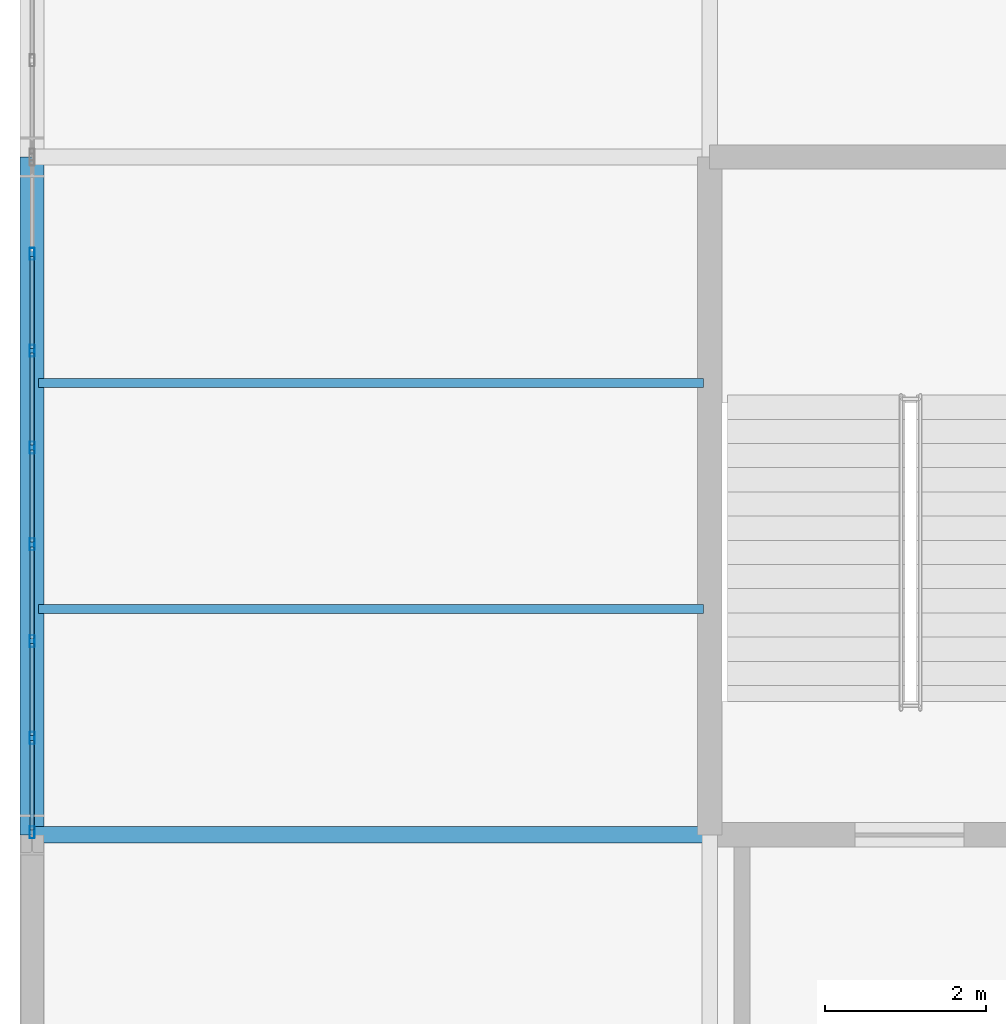
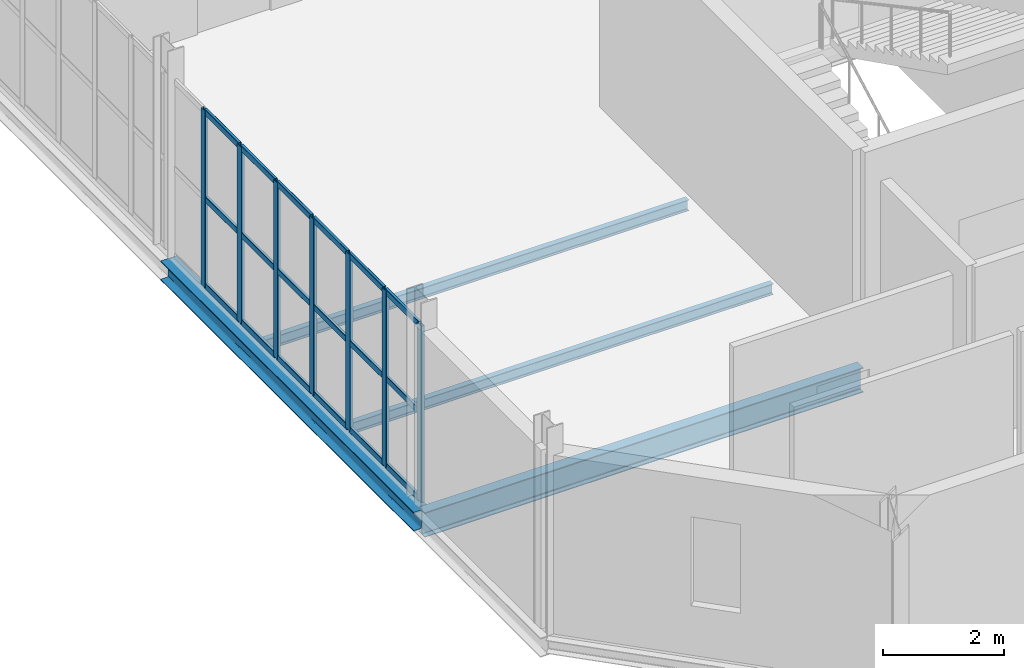
# One storey, part 15 of 65: 25 members, 4 beams, 1 element without a shape of its own.
"""IFC4 building model written with IfcOpenShell, lengths in metres."""

from ifc_helpers import new_model, si_unit, direction, frame, origin, origin_2d, place, context, subcontext, project, spatial, hollow_rectangle, i_section, extrude, material, layer, layer_set, material_profile, profile_set, type_object, element, aggregate, save


model = new_model("IFC4")

# Units and contexts
model_context = context("Model", 3, precision=1e-05, world=origin(), true_north=direction((0.0, 1.0)))
body_context = subcontext(model_context, "Body", "Model", "MODEL_VIEW")
ifc_project = project(units=[si_unit("LENGTHUNIT", "METRE"), si_unit("AREAUNIT", "SQUARE_METRE"), si_unit("VOLUMEUNIT", "CUBIC_METRE"), si_unit("PLANEANGLEUNIT", "RADIAN"), si_unit("MASSUNIT", "GRAM", prefix="KILO")], contexts=[model_context])

# Site, building, storey
site_placement = place(None, origin())
site = spatial("IfcSite", under=ifc_project, at=site_placement, CompositionType="ELEMENT")
building_placement = place(site_placement, origin())
building = spatial("IfcBuilding", under=site, at=building_placement, Name="Qalvenar Corner Mobility Hub", CompositionType="ELEMENT")
storey_placement = place(building_placement, frame((0.0, 0.0, 17.39990234375)))
storey = spatial("IfcBuildingStorey", under=building, at=storey_placement, Name="L04", CompositionType="ELEMENT", Elevation=17.39990234375)

# Beams
ifc_material_1 = material(Name="Steel S355", Category="steel")
ifc_material_profile_1 = material_profile(ifc_material_1, i_section(OverallWidth=0.199951171875, OverallDepth=0.5, WebThickness=0.01025390625, FlangeThickness=0.01611328125, FilletRadius=0.02099609375, at=origin_2d()), Name="IPE500")
ifc_profile_set_1 = profile_set([ifc_material_profile_1], Name="Steel S355")
beam_type_1 = type_object("IfcBeamType", Name="BM-IPE500", PredefinedType="BEAM", material=ifc_profile_set_1)
beam_1_placement = place(storey_placement, frame((0.0, 8.39990234375, -0.429931640625), z_axis=(1.0, 0.0, 0.0), x_axis=(0.0, 1.0, 0.0)))
element("IfcBeam", 1, at=beam_1_placement, inside=storey, type_object=beam_type_1, Name="Primary Steel Girder GX-2597", PredefinedType="BEAM", context=body_context, shape_type="SweptSolid", body=[
    extrude(i_section(OverallWidth=0.199951171875, OverallDepth=0.5, WebThickness=0.01025390625, FlangeThickness=0.01611328125, FilletRadius=0.02099609375, at=origin_2d()), origin(), (0.0, 0.0, 1.0), 8.39990234375),
])
ifc_material_profile_2 = material_profile(ifc_material_1, i_section(OverallWidth=0.110107421875, OverallDepth=0.219970703125, WebThickness=0.005859375, FlangeThickness=0.00927734375, FilletRadius=0.011962890625, at=origin_2d()), Name="IPE220")
ifc_profile_set_2 = profile_set([ifc_material_profile_2], Name="Steel S355")
beam_type_2 = type_object("IfcBeamType", Name="BM-JST220", PredefinedType="JOIST", material=ifc_profile_set_2)
for number, where, z_axis, x_axis, name in (
    (2, (0.077880859375, 11.199951171875, -0.289794921875), (1.0, 0.0, 0.0), (0.0, 1.0, 0.0), "Composite Floor Joist J-2665"),
    (3, (0.077880859375, 14.0, -0.289794921875), (1.0, 0.0, 0.0), (0.0, 1.0, 0.0), "Composite Floor Joist J-2666"),
):
    element("IfcBeam", number, at=place(storey_placement, frame(where, z_axis=z_axis, x_axis=x_axis)), inside=storey, type_object=beam_type_2, Name=name, PredefinedType="JOIST", context=body_context, shape_type="SweptSolid", body=[
        extrude(i_section(OverallWidth=0.110107421875, OverallDepth=0.219970703125, WebThickness=0.005859375, FlangeThickness=0.00927734375, FilletRadius=0.011962890625, at=origin_2d()), origin(), (0.0, 0.0, 1.0), 8.244140625),
    ])
ifc_material_profile_3 = material_profile(ifc_material_1, i_section(OverallWidth=0.300048828125, OverallDepth=0.389892578125, WebThickness=0.010986328125, FlangeThickness=0.01904296875, FilletRadius=0.027099609375, at=origin_2d()), Name="HEA400")
ifc_profile_set_3 = profile_set([ifc_material_profile_3], Name="Steel S355")
beam_type_3 = type_object("IfcBeamType", Name="BM-SPN400", PredefinedType="SPANDREL", material=ifc_profile_set_3)
beam_2_placement = place(storey_placement, frame((0.0, 8.39990234375, -0.375), z_axis=(0.0, 1.0, 0.0), x_axis=(-1.0, 0.0, 0.0)))
element("IfcBeam", 4, at=beam_2_placement, inside=storey, type_object=beam_type_3, Name="Primary Steel Girder GY-2628", PredefinedType="SPANDREL", context=body_context, shape_type="SweptSolid", body=[
    extrude(i_section(OverallWidth=0.300048828125, OverallDepth=0.389892578125, WebThickness=0.010986328125, FlangeThickness=0.01904296875, FilletRadius=0.027099609375, at=origin_2d()), origin(), (0.0, 0.0, 1.0), 8.400146484375),
])

# Curtain wall, members
ifc_material_2 = material(Name="Anodised Aluminium and Low-E Glazing", Category="aluminium")
ifc_layer = layer(ifc_material_2, 0.14990234375)
ifc_layer_set = layer_set([ifc_layer], Name="Anodised Aluminium and Low-E Glazing")
curtain_wall_type = type_object("IfcCurtainWallType", Name="CW-CIV-84X40", PredefinedType="NOTDEFINED", material=ifc_layer_set)
curtain_wall_placement = place(storey_placement, origin())
curtain_wall = element("IfcCurtainWall", 5, at=curtain_wall_placement, inside=storey, type_object=curtain_wall_type, Name="Glazed Curtain Wall CW-V3-L04-W1", PredefinedType="NOTDEFINED")
ifc_material_3 = material(Name="Anodised Aluminium 6063-T6", Category="aluminium")
ifc_material_profile_4 = material_profile(ifc_material_3, hollow_rectangle(XDim=0.06005859375, YDim=0.14990234375, WallThickness=0.00390625, InnerFilletRadius=0.00390625, OuterFilletRadius=0.008056640625, at=origin_2d()), Name="RHS150x60x4")
ifc_profile_set_4 = profile_set([ifc_material_profile_4], Name="Anodised Aluminium 6063-T6")
member_type_1 = type_object("IfcMemberType", Name="CW-MUL150", PredefinedType="MULLION", material=ifc_profile_set_4)
member_1_placement = place(storey_placement, frame((0.0, 15.60009765625, 0.0), z_axis=(0.0, 0.0, 1.0), x_axis=(1.0, 0.0, 0.0)))
member_1 = element("IfcMember", 6, at=member_1_placement, type_object=member_type_1, Name="CW-05 mullion 2", PredefinedType="MULLION", context=body_context, shape_type="SweptSolid", body=[
    extrude(hollow_rectangle(XDim=0.06005859375, YDim=0.14990234375, WallThickness=0.00390625, InnerFilletRadius=0.00390625, OuterFilletRadius=0.008056640625, at=origin_2d()), origin(), (0.0, 0.0, 1.0), 3.570068359375),
])
member_2_placement = place(storey_placement, frame((0.0, 14.39990234375, 0.0), z_axis=(0.0, 0.0, 1.0), x_axis=(1.0, 0.0, 0.0)))
member_2 = element("IfcMember", 7, at=member_2_placement, type_object=member_type_1, Name="CW-05 mullion 3", PredefinedType="MULLION", context=body_context, shape_type="SweptSolid", body=[
    extrude(hollow_rectangle(XDim=0.06005859375, YDim=0.14990234375, WallThickness=0.00390625, InnerFilletRadius=0.00390625, OuterFilletRadius=0.008056640625, at=origin_2d()), origin(), (0.0, 0.0, 1.0), 3.570068359375),
])
member_3_placement = place(storey_placement, frame((0.0, 13.199951171875, 0.0), z_axis=(0.0, 0.0, 1.0), x_axis=(1.0, 0.0, 0.0)))
member_3 = element("IfcMember", 8, at=member_3_placement, type_object=member_type_1, Name="CW-05 mullion 4", PredefinedType="MULLION", context=body_context, shape_type="SweptSolid", body=[
    extrude(hollow_rectangle(XDim=0.06005859375, YDim=0.14990234375, WallThickness=0.00390625, InnerFilletRadius=0.00390625, OuterFilletRadius=0.008056640625, at=origin_2d()), origin(), (0.0, 0.0, 1.0), 3.570068359375),
])
member_4_placement = place(storey_placement, frame((0.0, 12.0, 0.0), z_axis=(0.0, 0.0, 1.0), x_axis=(1.0, 0.0, 0.0)))
member_4 = element("IfcMember", 9, at=member_4_placement, type_object=member_type_1, Name="CW-05 mullion 5", PredefinedType="MULLION", context=body_context, shape_type="SweptSolid", body=[
    extrude(hollow_rectangle(XDim=0.06005859375, YDim=0.14990234375, WallThickness=0.00390625, InnerFilletRadius=0.00390625, OuterFilletRadius=0.008056640625, at=origin_2d()), origin(), (0.0, 0.0, 1.0), 3.570068359375),
])
member_5_placement = place(storey_placement, frame((0.0, 10.800048828125, 0.0), z_axis=(0.0, 0.0, 1.0), x_axis=(1.0, 0.0, 0.0)))
member_5 = element("IfcMember", 10, at=member_5_placement, type_object=member_type_1, Name="CW-05 mullion 6", PredefinedType="MULLION", context=body_context, shape_type="SweptSolid", body=[
    extrude(hollow_rectangle(XDim=0.06005859375, YDim=0.14990234375, WallThickness=0.00390625, InnerFilletRadius=0.00390625, OuterFilletRadius=0.008056640625, at=origin_2d()), origin(), (0.0, 0.0, 1.0), 3.570068359375),
])
member_6_placement = place(storey_placement, frame((0.0, 9.60009765625, 0.0), z_axis=(0.0, 0.0, 1.0), x_axis=(1.0, 0.0, 0.0)))
member_6 = element("IfcMember", 11, at=member_6_placement, type_object=member_type_1, Name="CW-05 mullion 7", PredefinedType="MULLION", context=body_context, shape_type="SweptSolid", body=[
    extrude(hollow_rectangle(XDim=0.06005859375, YDim=0.14990234375, WallThickness=0.00390625, InnerFilletRadius=0.00390625, OuterFilletRadius=0.008056640625, at=origin_2d()), origin(), (0.0, 0.0, 1.0), 3.570068359375),
])
member_7_placement = place(storey_placement, frame((0.0, 8.429931640625, 0.0), z_axis=(0.0, 0.0, 1.0), x_axis=(1.0, 0.0, 0.0)))
member_7 = element("IfcMember", 12, at=member_7_placement, type_object=member_type_1, Name="CW-05 mullion 8", PredefinedType="MULLION", context=body_context, shape_type="SweptSolid", body=[
    extrude(hollow_rectangle(XDim=0.06005859375, YDim=0.14990234375, WallThickness=0.00390625, InnerFilletRadius=0.00390625, OuterFilletRadius=0.008056640625, at=origin_2d()), origin(), (0.0, 0.0, 1.0), 3.570068359375),
])
ifc_material_profile_5 = material_profile(ifc_material_3, hollow_rectangle(XDim=0.054931640625, YDim=0.1201171875, WallThickness=0.00341796875, InnerFilletRadius=0.00341796875, OuterFilletRadius=0.007080078125, at=origin_2d()), Name="RHS120x55x3.5")
ifc_profile_set_5 = profile_set([ifc_material_profile_5], Name="Anodised Aluminium 6063-T6")
member_type_2 = type_object("IfcMemberType", Name="CW-TRN120", PredefinedType="USERDEFINED", material=ifc_profile_set_5)
member_8_placement = place(storey_placement, frame((0.0, 15.570068359375, 0.027587890625), z_axis=(0.0, -1.0, 0.0), x_axis=(1.0, 0.0, 0.0)))
member_8 = element("IfcMember", 13, at=member_8_placement, type_object=member_type_2, Name="CW-05 transom 2.1", ObjectType="TRANSOM", PredefinedType="USERDEFINED", context=body_context, shape_type="SweptSolid", body=[
    extrude(hollow_rectangle(XDim=0.054931640625, YDim=0.1201171875, WallThickness=0.00341796875, InnerFilletRadius=0.00341796875, OuterFilletRadius=0.007080078125, at=origin_2d()), origin(), (0.0, 0.0, 1.0), 1.14013671875),
])
member_9_placement = place(storey_placement, frame((0.0, 15.570068359375, 1.78515625), z_axis=(0.0, -1.0, 0.0), x_axis=(1.0, 0.0, 0.0)))
member_9 = element("IfcMember", 14, at=member_9_placement, type_object=member_type_2, Name="CW-05 transom 2.2", ObjectType="TRANSOM", PredefinedType="USERDEFINED", context=body_context, shape_type="SweptSolid", body=[
    extrude(hollow_rectangle(XDim=0.054931640625, YDim=0.1201171875, WallThickness=0.00341796875, InnerFilletRadius=0.00341796875, OuterFilletRadius=0.007080078125, at=origin_2d()), origin(), (0.0, 0.0, 1.0), 1.14013671875),
])
member_10_placement = place(storey_placement, frame((0.0, 15.570068359375, 3.54248046875), z_axis=(0.0, -1.0, 0.0), x_axis=(1.0, 0.0, 0.0)))
member_10 = element("IfcMember", 15, at=member_10_placement, type_object=member_type_2, Name="CW-05 transom 2.3", ObjectType="TRANSOM", PredefinedType="USERDEFINED", context=body_context, shape_type="SweptSolid", body=[
    extrude(hollow_rectangle(XDim=0.054931640625, YDim=0.1201171875, WallThickness=0.00341796875, InnerFilletRadius=0.00341796875, OuterFilletRadius=0.007080078125, at=origin_2d()), origin(), (0.0, 0.0, 1.0), 1.14013671875),
])
member_11_placement = place(storey_placement, frame((0.0, 14.3701171875, 0.027587890625), z_axis=(0.0, -1.0, 0.0), x_axis=(1.0, 0.0, 0.0)))
member_11 = element("IfcMember", 16, at=member_11_placement, type_object=member_type_2, Name="CW-05 transom 3.1", ObjectType="TRANSOM", PredefinedType="USERDEFINED", context=body_context, shape_type="SweptSolid", body=[
    extrude(hollow_rectangle(XDim=0.054931640625, YDim=0.1201171875, WallThickness=0.00341796875, InnerFilletRadius=0.00341796875, OuterFilletRadius=0.007080078125, at=origin_2d()), origin(), (0.0, 0.0, 1.0), 1.14013671875),
])
member_12_placement = place(storey_placement, frame((0.0, 14.3701171875, 1.78515625), z_axis=(0.0, -1.0, 0.0), x_axis=(1.0, 0.0, 0.0)))
member_12 = element("IfcMember", 17, at=member_12_placement, type_object=member_type_2, Name="CW-05 transom 3.2", ObjectType="TRANSOM", PredefinedType="USERDEFINED", context=body_context, shape_type="SweptSolid", body=[
    extrude(hollow_rectangle(XDim=0.054931640625, YDim=0.1201171875, WallThickness=0.00341796875, InnerFilletRadius=0.00341796875, OuterFilletRadius=0.007080078125, at=origin_2d()), origin(), (0.0, 0.0, 1.0), 1.14013671875),
])
member_13_placement = place(storey_placement, frame((0.0, 14.3701171875, 3.54248046875), z_axis=(0.0, -1.0, 0.0), x_axis=(1.0, 0.0, 0.0)))
member_13 = element("IfcMember", 18, at=member_13_placement, type_object=member_type_2, Name="CW-05 transom 3.3", ObjectType="TRANSOM", PredefinedType="USERDEFINED", context=body_context, shape_type="SweptSolid", body=[
    extrude(hollow_rectangle(XDim=0.054931640625, YDim=0.1201171875, WallThickness=0.00341796875, InnerFilletRadius=0.00341796875, OuterFilletRadius=0.007080078125, at=origin_2d()), origin(), (0.0, 0.0, 1.0), 1.14013671875),
])
member_14_placement = place(storey_placement, frame((0.0, 13.169921875, 0.027587890625), z_axis=(0.0, -1.0, 0.0), x_axis=(1.0, 0.0, 0.0)))
member_14 = element("IfcMember", 19, at=member_14_placement, type_object=member_type_2, Name="CW-05 transom 4.1", ObjectType="TRANSOM", PredefinedType="USERDEFINED", context=body_context, shape_type="SweptSolid", body=[
    extrude(hollow_rectangle(XDim=0.054931640625, YDim=0.1201171875, WallThickness=0.00341796875, InnerFilletRadius=0.00341796875, OuterFilletRadius=0.007080078125, at=origin_2d()), origin(), (0.0, 0.0, 1.0), 1.139892578125),
])
member_15_placement = place(storey_placement, frame((0.0, 13.169921875, 1.78515625), z_axis=(0.0, -1.0, 0.0), x_axis=(1.0, 0.0, 0.0)))
member_15 = element("IfcMember", 20, at=member_15_placement, type_object=member_type_2, Name="CW-05 transom 4.2", ObjectType="TRANSOM", PredefinedType="USERDEFINED", context=body_context, shape_type="SweptSolid", body=[
    extrude(hollow_rectangle(XDim=0.054931640625, YDim=0.1201171875, WallThickness=0.00341796875, InnerFilletRadius=0.00341796875, OuterFilletRadius=0.007080078125, at=origin_2d()), origin(), (0.0, 0.0, 1.0), 1.139892578125),
])
member_16_placement = place(storey_placement, frame((0.0, 13.169921875, 3.54248046875), z_axis=(0.0, -1.0, 0.0), x_axis=(1.0, 0.0, 0.0)))
member_16 = element("IfcMember", 21, at=member_16_placement, type_object=member_type_2, Name="CW-05 transom 4.3", ObjectType="TRANSOM", PredefinedType="USERDEFINED", context=body_context, shape_type="SweptSolid", body=[
    extrude(hollow_rectangle(XDim=0.054931640625, YDim=0.1201171875, WallThickness=0.00341796875, InnerFilletRadius=0.00341796875, OuterFilletRadius=0.007080078125, at=origin_2d()), origin(), (0.0, 0.0, 1.0), 1.139892578125),
])
member_17_placement = place(storey_placement, frame((0.0, 11.969970703125, 0.027587890625), z_axis=(0.0, -1.0, 0.0), x_axis=(1.0, 0.0, 0.0)))
member_17 = element("IfcMember", 22, at=member_17_placement, type_object=member_type_2, Name="CW-05 transom 5.1", ObjectType="TRANSOM", PredefinedType="USERDEFINED", context=body_context, shape_type="SweptSolid", body=[
    extrude(hollow_rectangle(XDim=0.054931640625, YDim=0.1201171875, WallThickness=0.00341796875, InnerFilletRadius=0.00341796875, OuterFilletRadius=0.007080078125, at=origin_2d()), origin(), (0.0, 0.0, 1.0), 1.139892578125),
])
member_18_placement = place(storey_placement, frame((0.0, 11.969970703125, 1.78515625), z_axis=(0.0, -1.0, 0.0), x_axis=(1.0, 0.0, 0.0)))
member_18 = element("IfcMember", 23, at=member_18_placement, type_object=member_type_2, Name="CW-05 transom 5.2", ObjectType="TRANSOM", PredefinedType="USERDEFINED", context=body_context, shape_type="SweptSolid", body=[
    extrude(hollow_rectangle(XDim=0.054931640625, YDim=0.1201171875, WallThickness=0.00341796875, InnerFilletRadius=0.00341796875, OuterFilletRadius=0.007080078125, at=origin_2d()), origin(), (0.0, 0.0, 1.0), 1.139892578125),
])
member_19_placement = place(storey_placement, frame((0.0, 11.969970703125, 3.54248046875), z_axis=(0.0, -1.0, 0.0), x_axis=(1.0, 0.0, 0.0)))
member_19 = element("IfcMember", 24, at=member_19_placement, type_object=member_type_2, Name="CW-05 transom 5.3", ObjectType="TRANSOM", PredefinedType="USERDEFINED", context=body_context, shape_type="SweptSolid", body=[
    extrude(hollow_rectangle(XDim=0.054931640625, YDim=0.1201171875, WallThickness=0.00341796875, InnerFilletRadius=0.00341796875, OuterFilletRadius=0.007080078125, at=origin_2d()), origin(), (0.0, 0.0, 1.0), 1.139892578125),
])
member_20_placement = place(storey_placement, frame((0.0, 10.77001953125, 0.027587890625), z_axis=(0.0, -1.0, 0.0), x_axis=(1.0, 0.0, 0.0)))
member_20 = element("IfcMember", 25, at=member_20_placement, type_object=member_type_2, Name="CW-05 transom 6.1", ObjectType="TRANSOM", PredefinedType="USERDEFINED", context=body_context, shape_type="SweptSolid", body=[
    extrude(hollow_rectangle(XDim=0.054931640625, YDim=0.1201171875, WallThickness=0.00341796875, InnerFilletRadius=0.00341796875, OuterFilletRadius=0.007080078125, at=origin_2d()), origin(), (0.0, 0.0, 1.0), 1.14013671875),
])
member_21_placement = place(storey_placement, frame((0.0, 10.77001953125, 1.78515625), z_axis=(0.0, -1.0, 0.0), x_axis=(1.0, 0.0, 0.0)))
member_21 = element("IfcMember", 26, at=member_21_placement, type_object=member_type_2, Name="CW-05 transom 6.2", ObjectType="TRANSOM", PredefinedType="USERDEFINED", context=body_context, shape_type="SweptSolid", body=[
    extrude(hollow_rectangle(XDim=0.054931640625, YDim=0.1201171875, WallThickness=0.00341796875, InnerFilletRadius=0.00341796875, OuterFilletRadius=0.007080078125, at=origin_2d()), origin(), (0.0, 0.0, 1.0), 1.14013671875),
])
member_22_placement = place(storey_placement, frame((0.0, 10.77001953125, 3.54248046875), z_axis=(0.0, -1.0, 0.0), x_axis=(1.0, 0.0, 0.0)))
member_22 = element("IfcMember", 27, at=member_22_placement, type_object=member_type_2, Name="CW-05 transom 6.3", ObjectType="TRANSOM", PredefinedType="USERDEFINED", context=body_context, shape_type="SweptSolid", body=[
    extrude(hollow_rectangle(XDim=0.054931640625, YDim=0.1201171875, WallThickness=0.00341796875, InnerFilletRadius=0.00341796875, OuterFilletRadius=0.007080078125, at=origin_2d()), origin(), (0.0, 0.0, 1.0), 1.14013671875),
])
member_23_placement = place(storey_placement, frame((0.0, 9.570068359375, 0.027587890625), z_axis=(0.0, -1.0, 0.0), x_axis=(1.0, 0.0, 0.0)))
member_23 = element("IfcMember", 28, at=member_23_placement, type_object=member_type_2, Name="CW-05 transom 7.1", ObjectType="TRANSOM", PredefinedType="USERDEFINED", context=body_context, shape_type="SweptSolid", body=[
    extrude(hollow_rectangle(XDim=0.054931640625, YDim=0.1201171875, WallThickness=0.00341796875, InnerFilletRadius=0.00341796875, OuterFilletRadius=0.007080078125, at=origin_2d()), origin(), (0.0, 0.0, 1.0), 1.110107421875),
])
member_24_placement = place(storey_placement, frame((0.0, 9.570068359375, 1.78515625), z_axis=(0.0, -1.0, 0.0), x_axis=(1.0, 0.0, 0.0)))
member_24 = element("IfcMember", 29, at=member_24_placement, type_object=member_type_2, Name="CW-05 transom 7.2", ObjectType="TRANSOM", PredefinedType="USERDEFINED", context=body_context, shape_type="SweptSolid", body=[
    extrude(hollow_rectangle(XDim=0.054931640625, YDim=0.1201171875, WallThickness=0.00341796875, InnerFilletRadius=0.00341796875, OuterFilletRadius=0.007080078125, at=origin_2d()), origin(), (0.0, 0.0, 1.0), 1.110107421875),
])
member_25_placement = place(storey_placement, frame((0.0, 9.570068359375, 3.54248046875), z_axis=(0.0, -1.0, 0.0), x_axis=(1.0, 0.0, 0.0)))
member_25 = element("IfcMember", 30, at=member_25_placement, type_object=member_type_2, Name="CW-05 transom 7.3", ObjectType="TRANSOM", PredefinedType="USERDEFINED", context=body_context, shape_type="SweptSolid", body=[
    extrude(hollow_rectangle(XDim=0.054931640625, YDim=0.1201171875, WallThickness=0.00341796875, InnerFilletRadius=0.00341796875, OuterFilletRadius=0.007080078125, at=origin_2d()), origin(), (0.0, 0.0, 1.0), 1.110107421875),
])
aggregate(curtain_wall, [member_1, member_2, member_3, member_4, member_5, member_6, member_7, member_8, member_9, member_10, member_11, member_12, member_13, member_14, member_15, member_16, member_17, member_18, member_19, member_20, member_21, member_22, member_23, member_24, member_25])

save(model, "model.ifc")
